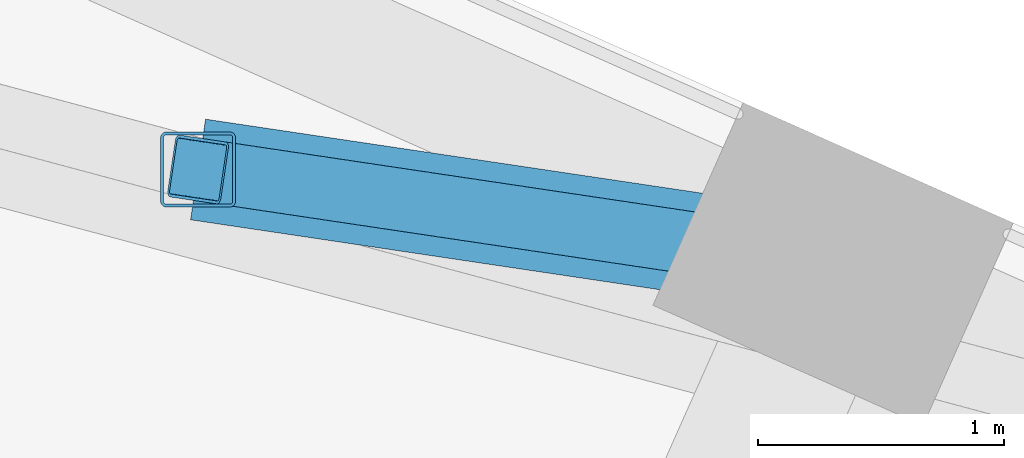
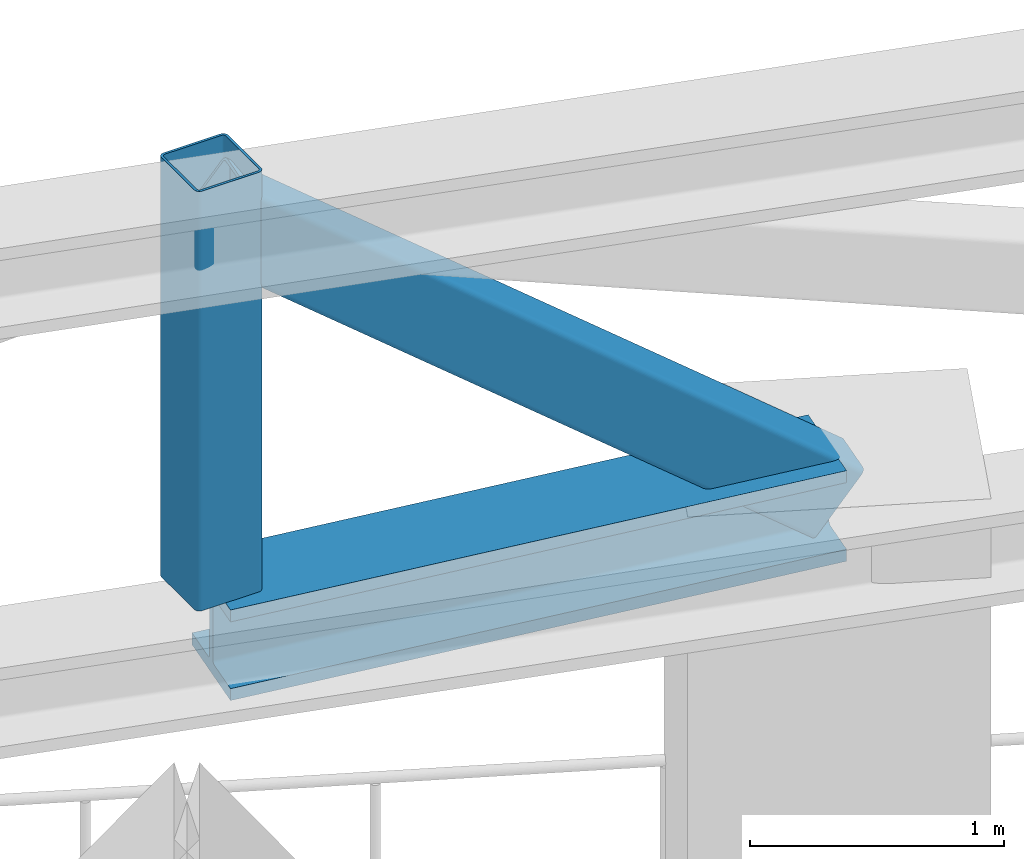
# One storey, part 12 of 26: 3 members.
"""IFC4 building model written with IfcOpenShell, lengths in metres."""

from ifc_helpers import new_model, si_unit, direction, frame, origin, origin_2d, place, context, subcontext, project, spatial, hollow_rectangle, i_section, extrude, material, material_profile, profile_set, type_object, element, save


model = new_model("IFC4")

# Units and contexts
model_context = context("Model", 3, precision=1e-05, world=origin(), true_north=direction((0.0, 1.0)))
body_context = subcontext(model_context, "Body", "Model", "MODEL_VIEW")
ifc_project = project(units=[si_unit("LENGTHUNIT", "METRE"), si_unit("AREAUNIT", "SQUARE_METRE"), si_unit("VOLUMEUNIT", "CUBIC_METRE"), si_unit("PLANEANGLEUNIT", "RADIAN"), si_unit("MASSUNIT", "GRAM", prefix="KILO")], contexts=[model_context])

# Site, building, storey
site_placement = place(None, origin())
site = spatial("IfcSite", under=ifc_project, at=site_placement, CompositionType="ELEMENT")
building_placement = place(site_placement, origin())
building = spatial("IfcBuilding", under=site, at=building_placement, Name="Tramontana Tower", CompositionType="ELEMENT")
storey_placement = place(building_placement, frame((0.0, 0.0, 194.800048828125)))
storey = spatial("IfcBuildingStorey", under=building, at=storey_placement, Name="L45", CompositionType="ELEMENT", Elevation=194.800048828125)

# Members
ifc_material_1 = material(Name="Steel ASTM A500 Grade C", Category="steel")
ifc_material_profile_1 = material_profile(ifc_material_1, hollow_rectangle(XDim=0.3046875, YDim=0.3046875, WallThickness=0.01171875, InnerFilletRadius=0.01171875, OuterFilletRadius=0.023681640625, at=origin_2d()), Name="HSS12X12X1/2")
ifc_profile_set_1 = profile_set([ifc_material_profile_1], Name="Steel ASTM A500 Grade C")
member_type_1 = type_object("IfcMemberType", Name="Belt truss HSS12X12X1/2 post", PredefinedType="POST", material=ifc_profile_set_1)
member_1_placement = place(storey_placement, frame((4.154052734375, 15.503173828125, 2.8349609375), z_axis=(0.0, 0.0, 1.0), x_axis=(1.0, 0.0, 0.0)))
element("IfcMember", 1, at=member_1_placement, inside=storey, type_object=member_type_1, Name="Belt truss post C5F13", PredefinedType="POST", context=body_context, shape_type="SweptSolid", body=[
    extrude(hollow_rectangle(XDim=0.3046875, YDim=0.3046875, WallThickness=0.01171875, InnerFilletRadius=0.01171875, OuterFilletRadius=0.023681640625, at=origin_2d()), origin(), (0.0, 0.0, 1.0), 2.014892578125),
])
ifc_material_2 = material(Name="Steel ASTM A500 Grade C", Category="steel")
ifc_material_profile_2 = material_profile(ifc_material_2, hollow_rectangle(XDim=0.25390625, YDim=0.355712890625, WallThickness=0.01171875, InnerFilletRadius=0.01171875, OuterFilletRadius=0.023681640625, at=origin_2d()), Name="HSS14X10X1/2")
ifc_profile_set_2 = profile_set([ifc_material_profile_2], Name="Steel ASTM A500 Grade C")
member_type_2 = type_object("IfcMemberType", Name="Transfer truss HSS14X10X1/2 brace", PredefinedType="BRACE", material=ifc_profile_set_2)
member_2_placement = place(storey_placement, frame((6.7314453125, 15.119140625, 2.617431640625), z_axis=(-0.78242278567, 0.116581513864, 0.611737962766), x_axis=(-0.147373707192, -0.989080881641, 0.0)))
element("IfcMember", 2, at=member_2_placement, inside=storey, type_object=member_type_2, Name="Transfer truss strut C5F13 diagonal", PredefinedType="BRACE", context=body_context, shape_type="SweptSolid", body=[
    extrude(hollow_rectangle(XDim=0.25390625, YDim=0.355712890625, WallThickness=0.01171875, InnerFilletRadius=0.01171875, OuterFilletRadius=0.023681640625, at=origin_2d()), origin(), (0.0, 0.0, 1.0), 3.294189453125),
])
ifc_material_3 = material(Name="Steel ASTM A992 Grade 50", Category="steel")
ifc_material_profile_3 = material_profile(ifc_material_3, i_section(OverallWidth=0.412841796875, OverallDepth=0.43505859375, WebThickness=0.03662109375, FlangeThickness=0.05712890625, FilletRadius=0.01513671875, at=origin_2d()), Name="W14X311")
ifc_profile_set_3 = profile_set([ifc_material_profile_3], Name="Steel ASTM A992 Grade 50")
member_type_3 = type_object("IfcMemberType", Name="Transfer truss W14X311 strut", PredefinedType="STRUT", material=ifc_profile_set_3)
member_3_placement = place(storey_placement, frame((6.7314453125, 15.119140625, 2.617431640625), z_axis=(-0.989080881641, 0.147373707192, 0.0), x_axis=(-0.147373707192, -0.989080881641, 0.0)))
element("IfcMember", 3, at=member_3_placement, inside=storey, type_object=member_type_3, Name="Transfer truss strut C5F13 bottom", PredefinedType="STRUT", context=body_context, shape_type="SweptSolid", body=[
    extrude(i_section(OverallWidth=0.412841796875, OverallDepth=0.43505859375, WebThickness=0.03662109375, FlangeThickness=0.05712890625, FilletRadius=0.01513671875, at=origin_2d()), origin(), (0.0, 0.0, 1.0), 2.60595703125),
])

save(model, "model.ifc")
